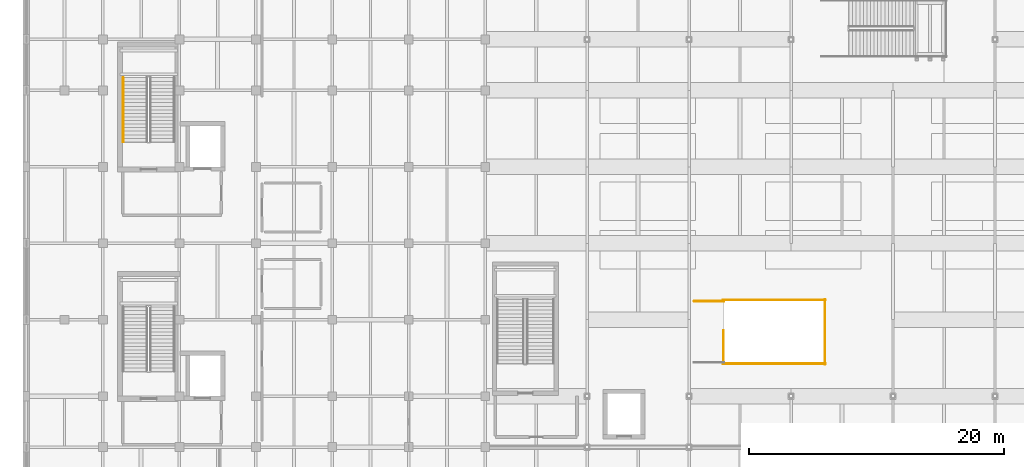
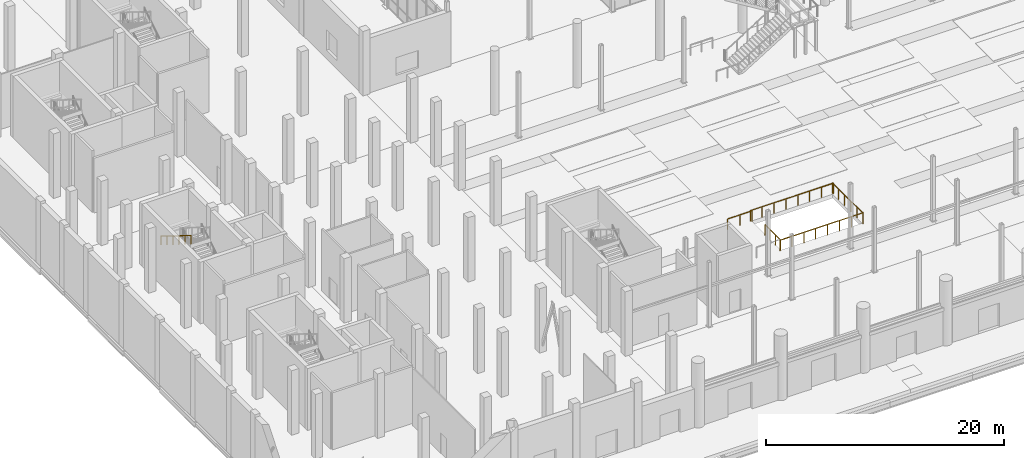
# One storey, part 131 of 140: 6 railings.
"""IFC4 building model written with IfcOpenShell, lengths in metres."""

from ifc_helpers import new_model, si_unit, direction, frame, origin, origin_2d, place, context, subcontext, project, spatial, circle, extrude, material, type_object, element, save


model = new_model("IFC4")

# Units and contexts
model_context = context("Model", 3, precision=1e-05, world=origin(), true_north=direction((0.0, 1.0)))
body_context = subcontext(model_context, "Body", "Model", "MODEL_VIEW")
ifc_project = project(units=[si_unit("LENGTHUNIT", "METRE"), si_unit("AREAUNIT", "SQUARE_METRE"), si_unit("VOLUMEUNIT", "CUBIC_METRE"), si_unit("PLANEANGLEUNIT", "RADIAN"), si_unit("MASSUNIT", "GRAM", prefix="KILO")], contexts=[model_context])

# Site, building, storey
site_placement = place(None, origin())
site = spatial("IfcSite", under=ifc_project, at=site_placement, CompositionType="ELEMENT")
building_placement = place(site_placement, origin())
building = spatial("IfcBuilding", under=site, at=building_placement, Name="Verrall Gate Interchange", CompositionType="ELEMENT")
storey_placement = place(building_placement, origin())
storey = spatial("IfcBuildingStorey", under=building, at=storey_placement, Name="L01", CompositionType="ELEMENT", Elevation=0.0)

# Railings
ifc_material_1 = material(Name="Brushed Stainless-Steel Guardrail and Handrail System", Category="steel")
railing_type_1 = type_object("IfcRailingType", Name="GR-02 Interior Atrium and Stair Guardrail 1100", PredefinedType="GUARDRAIL", material=ifc_material_1)
railing_1_placement = place(storey_placement, frame((54.699951171875, 18.60009765625, 0.0)))
element("IfcRailing", 1, at=railing_1_placement, inside=storey, type_object=railing_type_1, Name="L01 ST-10 top well guard 1", PredefinedType="GUARDRAIL", context=body_context, shape_type="SweptSolid", body=[
    extrude(circle(Radius=0.02392578125, at=origin_2d()), frame((0.0, 0.0, 1.076171875), z_axis=(0.0, 1.0, 0.0), x_axis=(-1.0, 0.0, 0.0)), (0.0, 0.0, 1.0), 2.5498046875),
    extrude(circle(Radius=0.02099609375, at=origin_2d()), origin(), (0.0, 0.0, 1.0), 1.052001953125),
    extrude(circle(Radius=0.02099609375, at=origin_2d()), frame((0.0, 0.849853515625, 0.0)), (0.0, 0.0, 1.0), 1.052001953125),
    extrude(circle(Radius=0.02099609375, at=origin_2d()), frame((0.0, 1.699951171875, 0.0)), (0.0, 0.0, 1.0), 1.052001953125),
    extrude(circle(Radius=0.02099609375, at=origin_2d()), frame((0.0, 2.5498046875, 0.0)), (0.0, 0.0, 1.0), 1.052001953125),
])
for number, where, name in (
    (2, (54.64990234375, 18.550048828125, 0.0), "L01 ST-10 top well guard 2"),
    (3, (54.64990234375, 23.550048828125, 0.0), "L01 ST-10 top well guard 3"),
):
    element("IfcRailing", number, at=place(storey_placement, frame(where)), inside=storey, type_object=railing_type_1, Name=name, PredefinedType="GUARDRAIL", context=body_context, shape_type="SweptSolid", body=[
        extrude(circle(Radius=0.02392578125, at=origin_2d()), frame((0.0, 0.0, 1.076171875), z_axis=(1.0, 0.0, 0.0), x_axis=(0.0, 1.0, 0.0)), (0.0, 0.0, 1.0), 8.050048828125),
        extrude(circle(Radius=0.02099609375, at=origin_2d()), origin(), (0.0, 0.0, 1.0), 1.052001953125),
        extrude(circle(Radius=0.02099609375, at=origin_2d()), frame((1.14990234375, 0.0, 0.0)), (0.0, 0.0, 1.0), 1.052001953125),
        extrude(circle(Radius=0.02099609375, at=origin_2d()), frame((2.300048828125, 0.0, 0.0)), (0.0, 0.0, 1.0), 1.052001953125),
        extrude(circle(Radius=0.02099609375, at=origin_2d()), frame((3.449951171875, 0.0, 0.0)), (0.0, 0.0, 1.0), 1.052001953125),
        extrude(circle(Radius=0.02099609375, at=origin_2d()), frame((4.60009765625, 0.0, 0.0)), (0.0, 0.0, 1.0), 1.052001953125),
        extrude(circle(Radius=0.02099609375, at=origin_2d()), frame((5.75, 0.0, 0.0)), (0.0, 0.0, 1.0), 1.052001953125),
        extrude(circle(Radius=0.02099609375, at=origin_2d()), frame((6.900146484375, 0.0, 0.0)), (0.0, 0.0, 1.0), 1.052001953125),
        extrude(circle(Radius=0.02099609375, at=origin_2d()), frame((8.050048828125, 0.0, 0.0)), (0.0, 0.0, 1.0), 1.052001953125),
    ])
railing_2_placement = place(storey_placement, frame((62.64990234375, 18.5, 0.0)))
element("IfcRailing", 4, at=railing_2_placement, inside=storey, type_object=railing_type_1, Name="L01 ST-10 top well guard 4", PredefinedType="GUARDRAIL", context=body_context, shape_type="SweptSolid", body=[
    extrude(circle(Radius=0.02392578125, at=origin_2d()), frame((0.0, 0.0, 1.076171875), z_axis=(0.0, 1.0, 0.0), x_axis=(-1.0, 0.0, 0.0)), (0.0, 0.0, 1.0), 5.10009765625),
    extrude(circle(Radius=0.02099609375, at=origin_2d()), origin(), (0.0, 0.0, 1.0), 1.052001953125),
    extrude(circle(Radius=0.02099609375, at=origin_2d()), frame((0.0, 1.02001953125, 0.0)), (0.0, 0.0, 1.0), 1.052001953125),
    extrude(circle(Radius=0.02099609375, at=origin_2d()), frame((0.0, 2.0400390625, 0.0)), (0.0, 0.0, 1.0), 1.052001953125),
    extrude(circle(Radius=0.02099609375, at=origin_2d()), frame((0.0, 3.06005859375, 0.0)), (0.0, 0.0, 1.0), 1.052001953125),
    extrude(circle(Radius=0.02099609375, at=origin_2d()), frame((0.0, 4.080078125, 0.0)), (0.0, 0.0, 1.0), 1.052001953125),
    extrude(circle(Radius=0.02099609375, at=origin_2d()), frame((0.0, 5.10009765625, 0.0)), (0.0, 0.0, 1.0), 1.052001953125),
])
railing_3_placement = place(storey_placement, frame((52.39990234375, 23.449951171875, 0.0)))
element("IfcRailing", 5, at=railing_3_placement, inside=storey, type_object=railing_type_1, Name="L01 ST-10 top well guard 6", PredefinedType="GUARDRAIL", context=body_context, shape_type="SweptSolid", body=[
    extrude(circle(Radius=0.02392578125, at=origin_2d()), frame((0.0, 0.0, 1.076171875), z_axis=(1.0, 0.0, 0.0), x_axis=(0.0, 1.0, 0.0)), (0.0, 0.0, 1.0), 2.35009765625),
    extrude(circle(Radius=0.02099609375, at=origin_2d()), origin(), (0.0, 0.0, 1.0), 1.052001953125),
    extrude(circle(Radius=0.02099609375, at=origin_2d()), frame((1.175048828125, 0.0, 0.0)), (0.0, 0.0, 1.0), 1.052001953125),
    extrude(circle(Radius=0.02099609375, at=origin_2d()), frame((2.35009765625, 0.0, 0.0)), (0.0, 0.0, 1.0), 1.052001953125),
])
ifc_material_2 = material(Name="Brushed Stainless-Steel Guardrail and Handrail System", Category="steel")
railing_type_2 = type_object("IfcRailingType", Name="HR-01 Stair and Ramp Pitch-Line Handrail 920", PredefinedType="HANDRAIL", material=ifc_material_2)
railing_4_placement = place(storey_placement, frame((7.60009765625, 40.989990234375, 3.4736328125)))
element("IfcRailing", 6, at=railing_4_placement, inside=storey, type_object=railing_type_2, Name="L01 ST-02 stair handrail 2", PredefinedType="HANDRAIL", context=body_context, shape_type="SweptSolid", body=[
    extrude(circle(Radius=0.02392578125, at=origin_2d()), frame((0.0, 0.0, 0.8759765625), z_axis=(0.0, -0.849778785312, 0.527139465448), x_axis=(1.0, 0.0, 0.0)), (0.0, 0.0, 1.0), 5.930908203125),
    extrude(circle(Radius=0.02099609375, at=origin_2d()), origin(), (0.0, 0.0, 1.0), 0.851806640625),
    extrude(circle(Radius=0.02099609375, at=origin_2d()), frame((0.0, -1.008056640625, 0.625244140625)), (0.0, 0.0, 1.0), 0.851806640625),
    extrude(circle(Radius=0.02099609375, at=origin_2d()), frame((0.0, -2.01611328125, 1.25048828125)), (0.0, 0.0, 1.0), 0.851806640625),
    extrude(circle(Radius=0.02099609375, at=origin_2d()), frame((0.0, -3.02392578125, 1.8759765625)), (0.0, 0.0, 1.0), 0.851806640625),
    extrude(circle(Radius=0.02099609375, at=origin_2d()), frame((0.0, -4.031982421875, 2.501220703125)), (0.0, 0.0, 1.0), 0.851806640625),
    extrude(circle(Radius=0.02099609375, at=origin_2d()), frame((0.0, -5.0400390625, 3.12646484375)), (0.0, 0.0, 1.0), 0.851806640625),
])

save(model, "model.ifc")
